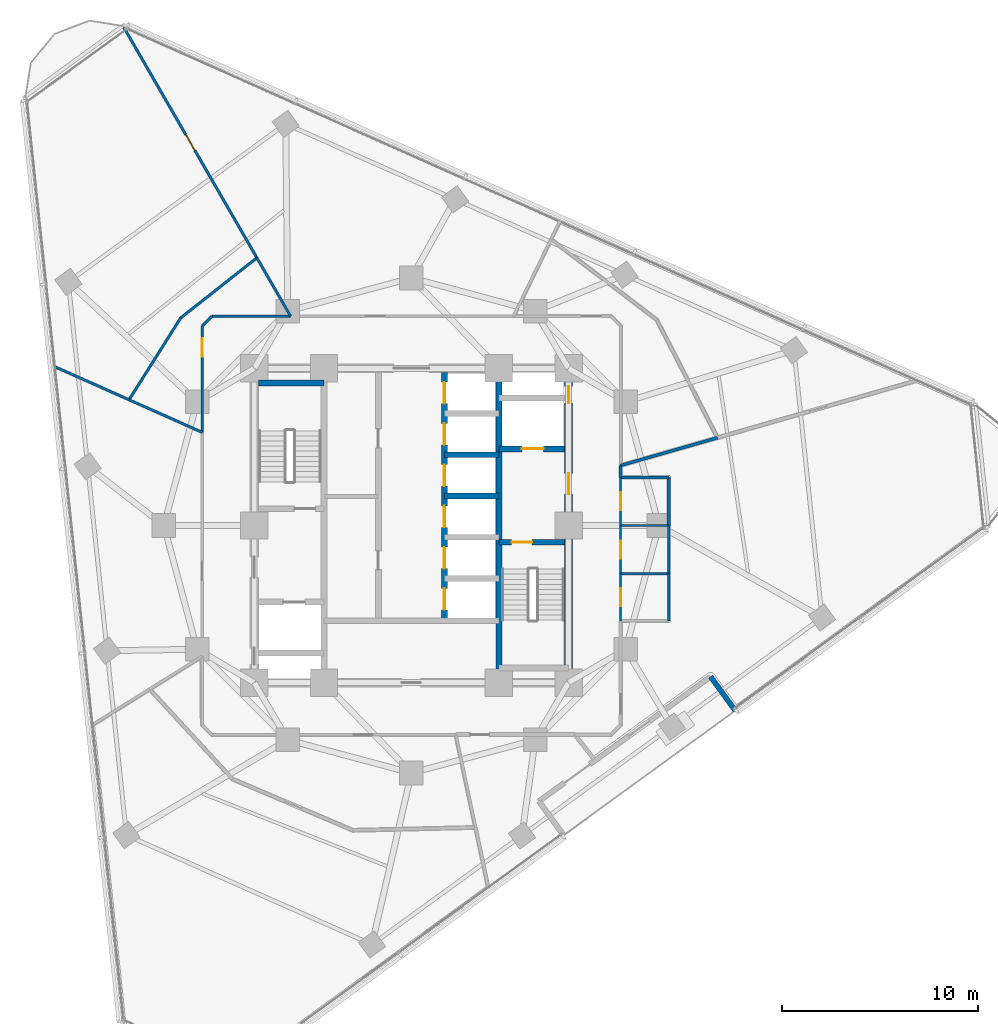
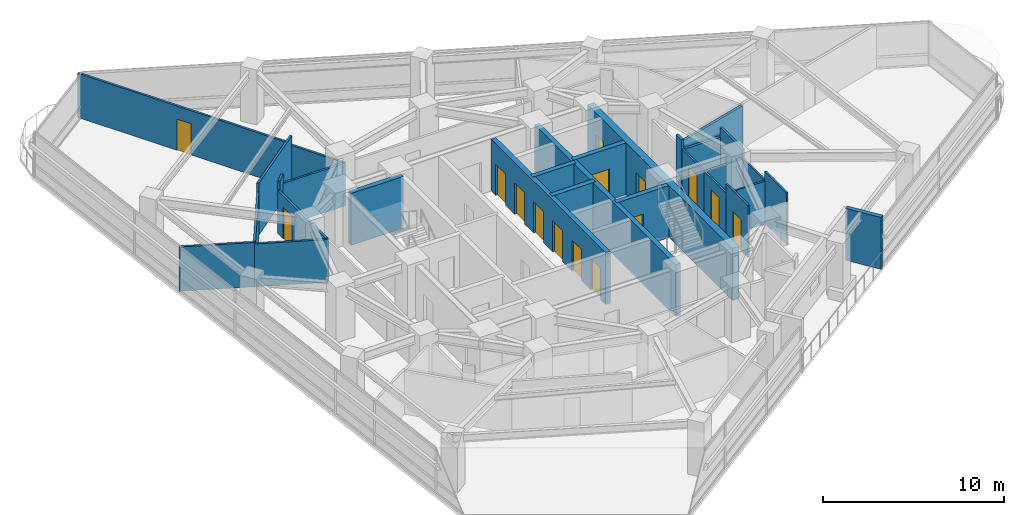
# One storey, part 9 of 14: 29 walls, 15 doors, 15 openings.
"""IFC4 building model written with IfcOpenShell, lengths in metres."""

from ifc_helpers import new_model, si_unit, direction, frame, frame_2d, origin, place, context, subcontext, project, spatial, rectangle, extrude, material, layer, layer_set, type_object, element, fill, save


model = new_model("IFC4")

# Units and contexts
model_context = context("Model", 3, precision=1e-05, world=origin(), true_north=direction((0.0, 1.0)))
body_context = subcontext(model_context, "Body", "Model", "MODEL_VIEW")
ifc_project = project(units=[si_unit("LENGTHUNIT", "METRE"), si_unit("AREAUNIT", "SQUARE_METRE"), si_unit("VOLUMEUNIT", "CUBIC_METRE"), si_unit("PLANEANGLEUNIT", "RADIAN"), si_unit("MASSUNIT", "GRAM", prefix="KILO")], contexts=[model_context])

# Site, building, storey
site_placement = place(None, origin())
site = spatial("IfcSite", under=ifc_project, at=site_placement, CompositionType="ELEMENT")
building_placement = place(site_placement, origin())
building = spatial("IfcBuilding", under=site, at=building_placement, Name="Terralouvre Media Tower", CompositionType="ELEMENT")
storey_placement = place(building_placement, frame((0.0, 0.0, 158.300048828125)))
storey = spatial("IfcBuildingStorey", under=building, at=storey_placement, Name="L40", CompositionType="ELEMENT", Elevation=158.300048828125)

# Walls
ifc_material_1 = material(Name="Concrete C50/60", Category="concrete")
ifc_layer_1 = layer(ifc_material_1, 0.300048828125, Name="Core Internal Shaft Wall CW-300")
ifc_layer_set_1 = layer_set([ifc_layer_1], Name="Concrete C50/60")
wall_type_1 = type_object("IfcWallType", Name="Core Internal Shaft Wall CW-300", PredefinedType="SHEAR", material=ifc_layer_set_1)
wall_1_placement = place(storey_placement, frame((4.449951171875, -7.7900390625, 0.0), z_axis=(0.0, 0.0, 1.0), x_axis=(0.0, 1.0, 0.0)))
element("IfcWall", 1, at=wall_1_placement, inside=storey, type_object=wall_type_1, Name="L40 Core Shaft Wall SPE", PredefinedType="SHEAR", context=body_context, shape_type="SweptSolid", body=[
    extrude(rectangle(XDim=15.580078125, YDim=0.300048828125, at=frame_2d((7.7900390625, 0.0))), origin(), (0.0, 0.0, 1.0), 3.5),
])
wall_2_placement = place(storey_placement, frame((-7.7900390625, 7.260009765625, 0.0), z_axis=(0.0, 0.0, 1.0), x_axis=(1.0, 0.0, 0.0)))
element("IfcWall", 2, at=wall_2_placement, inside=storey, type_object=wall_type_1, Name="L40 Core Shaft Wall ST1F", PredefinedType="SHEAR", context=body_context, shape_type="SweptSolid", body=[
    extrude(rectangle(XDim=3.340087890625, YDim=0.300048828125, at=frame_2d((1.669921875, 0.0))), origin(), (0.0, 0.0, 1.0), 3.5),
])

# Wall, opening, door
wall_3_placement = place(storey_placement, frame((4.449951171875, -0.85009765625, 0.0), z_axis=(0.0, 0.0, 1.0), x_axis=(1.0, 0.0, 0.0)))
wall_3 = element("IfcWall", 3, at=wall_3_placement, inside=storey, type_object=wall_type_1, Name="L40 Core Shaft Wall ST2D", PredefinedType="SHEAR", context=body_context, shape_type="SweptSolid", body=[
    extrude(rectangle(XDim=3.340087890625, YDim=0.300048828125, at=frame_2d((1.669921875, 0.0))), origin(), (0.0, 0.0, 1.0), 3.5),
])
opening_1_placement = place(wall_3_placement, frame((0.64990234375, 0.0, 0.0)))
opening_1 = element("IfcOpeningElement", 4, at=opening_1_placement, cuts=wall_3, Name="Opening FD-01-105X215", PredefinedType="OPENING", context=body_context, shape_type="SweptSolid", body=[
    extrude(rectangle(XDim=1.050048828125, YDim=2.14990234375, at=frame_2d((0.52490234375, 1.074951171875))), frame((0.0, 0.159912109375, 0.0), z_axis=(0.0, -1.0, 0.0), x_axis=(1.0, 0.0, 0.0)), (0.0, 0.0, 1.0), 0.320068359375),
])
ifc_material_2 = material(Name="Galvanised steel fire-resisting leaf", Category="steel")
door_type_1 = type_object("IfcDoorType", Name="Stair and Firefighting Lobby Fire Door FD-01 (1050x2150)", OperationType="NOTDEFINED", PredefinedType="DOOR", material=ifc_material_2)
door_1_placement = place(opening_1_placement, origin())
door_1 = element("IfcDoor", 5, at=door_1_placement, inside=storey, type_object=door_type_1, Name="L40 ST-02 Exit Stair Door", OperationType="SINGLE_SWING_RIGHT", OverallHeight=2.14990234375, OverallWidth=1.050048828125, PredefinedType="DOOR", context=body_context, shape_type="SweptSolid", body=[
    extrude(rectangle(XDim=1.050048828125, YDim=2.14990234375, at=frame_2d((0.52490234375, 1.074951171875))), frame((0.0, 0.02490234375, 0.0), z_axis=(0.0, -1.0, 0.0), x_axis=(1.0, 0.0, 0.0)), (0.0, 0.0, 1.0), 0.050048828125),
])
fill(opening_1, door_1)

wall_4_placement = place(storey_placement, frame((4.449951171875, 3.89990234375, 0.0), z_axis=(0.0, 0.0, 1.0), x_axis=(1.0, 0.0, 0.0)))
wall_4 = element("IfcWall", 6, at=wall_4_placement, inside=storey, type_object=wall_type_1, Name="L40 Core Shaft Wall FF2S", PredefinedType="SHEAR", context=body_context, shape_type="SweptSolid", body=[
    extrude(rectangle(XDim=3.340087890625, YDim=0.300048828125, at=frame_2d((1.669921875, 0.0))), origin(), (0.0, 0.0, 1.0), 3.5),
])
opening_2_placement = place(wall_4_placement, frame((1.179931640625, 0.0, 0.0)))
opening_2 = element("IfcOpeningElement", 7, at=opening_2_placement, cuts=wall_4, Name="Opening LD-FF", PredefinedType="OPENING", context=body_context, shape_type="SweptSolid", body=[
    extrude(rectangle(XDim=1.10009765625, YDim=2.10009765625, at=frame_2d((0.550048828125, 1.050048828125))), frame((0.0, 0.159912109375, 0.0), z_axis=(0.0, -1.0, 0.0), x_axis=(1.0, 0.0, 0.0)), (0.0, 0.0, 1.0), 0.320068359375),
])
ifc_material_3 = material(Name="Stainless steel 316 handrail and balustrade", Category="steel")
door_type_2 = type_object("IfcDoorType", Name="Firefighting Lift Sliding Landing Door LD-FF", OperationType="SLIDING_TO_LEFT", PredefinedType="DOOR", material=ifc_material_3)
door_2_placement = place(opening_2_placement, origin())
door_2 = element("IfcDoor", 8, at=door_2_placement, inside=storey, type_object=door_type_2, Name="L40 Firefighting Lift FFL-02 Landing Door", OperationType="SLIDING_TO_LEFT", OverallHeight=2.10009765625, OverallWidth=1.10009765625, PredefinedType="DOOR", context=body_context, shape_type="SweptSolid", body=[
    extrude(rectangle(XDim=1.10009765625, YDim=2.10009765625, at=frame_2d((0.550048828125, 1.050048828125))), frame((0.0, 0.02490234375, 0.0), z_axis=(0.0, -1.0, 0.0), x_axis=(1.0, 0.0, 0.0)), (0.0, 0.0, 1.0), 0.050048828125),
])
fill(opening_2, door_2)

# Wall, openings, doors
wall_5_placement = place(storey_placement, frame((1.679931640625, -4.85009765625, 0.0), z_axis=(0.0, 0.0, 1.0), x_axis=(0.0, 1.0, 0.0)))
wall_5 = element("IfcWall", 9, at=wall_5_placement, inside=storey, type_object=wall_type_1, Name="L40 Core Shaft Wall LBE", PredefinedType="SHEAR", context=body_context, shape_type="SweptSolid", body=[
    extrude(rectangle(XDim=12.64013671875, YDim=0.300048828125, at=frame_2d((6.320068359375, 0.0))), origin(), (0.0, 0.0, 1.0), 3.5),
])
opening_3_placement = place(wall_5_placement, frame((0.550048828125, 0.0, 0.0)))
opening_3 = element("IfcOpeningElement", 10, at=opening_3_placement, cuts=wall_5, Name="Opening LD-PL", PredefinedType="OPENING", context=body_context, shape_type="SweptSolid", body=[
    extrude(rectangle(XDim=1.10009765625, YDim=2.10009765625, at=frame_2d((0.550048828125, 1.050048828125))), frame((0.0, 0.159912109375, 0.0), z_axis=(0.0, -1.0, 0.0), x_axis=(1.0, 0.0, 0.0)), (0.0, 0.0, 1.0), 0.320068359375),
])
opening_4_placement = place(wall_5_placement, frame((2.64990234375, 0.0, 0.0)))
opening_4 = element("IfcOpeningElement", 11, at=opening_4_placement, cuts=wall_5, Name="Opening LD-PL", PredefinedType="OPENING", context=body_context, shape_type="SweptSolid", body=[
    extrude(rectangle(XDim=1.10009765625, YDim=2.10009765625, at=frame_2d((0.550048828125, 1.050048828125))), frame((0.0, 0.159912109375, 0.0), z_axis=(0.0, -1.0, 0.0), x_axis=(1.0, 0.0, 0.0)), (0.0, 0.0, 1.0), 0.320068359375),
])
opening_5_placement = place(wall_5_placement, frame((4.75, 0.0, 0.0)))
opening_5 = element("IfcOpeningElement", 12, at=opening_5_placement, cuts=wall_5, Name="Opening LD-PL", PredefinedType="OPENING", context=body_context, shape_type="SweptSolid", body=[
    extrude(rectangle(XDim=1.10009765625, YDim=2.10009765625, at=frame_2d((0.550048828125, 1.050048828125))), frame((0.0, 0.159912109375, 0.0), z_axis=(0.0, -1.0, 0.0), x_axis=(1.0, 0.0, 0.0)), (0.0, 0.0, 1.0), 0.320068359375),
])
opening_6_placement = place(wall_5_placement, frame((6.85009765625, 0.0, 0.0)))
opening_6 = element("IfcOpeningElement", 13, at=opening_6_placement, cuts=wall_5, Name="Opening LD-PL", PredefinedType="OPENING", context=body_context, shape_type="SweptSolid", body=[
    extrude(rectangle(XDim=1.10009765625, YDim=2.10009765625, at=frame_2d((0.550048828125, 1.050048828125))), frame((0.0, 0.159912109375, 0.0), z_axis=(0.0, -1.0, 0.0), x_axis=(1.0, 0.0, 0.0)), (0.0, 0.0, 1.0), 0.320068359375),
])
opening_7_placement = place(wall_5_placement, frame((8.949951171875, 0.0, 0.0)))
opening_7 = element("IfcOpeningElement", 14, at=opening_7_placement, cuts=wall_5, Name="Opening LD-PL", PredefinedType="OPENING", context=body_context, shape_type="SweptSolid", body=[
    extrude(rectangle(XDim=1.10009765625, YDim=2.10009765625, at=frame_2d((0.550048828125, 1.050048828125))), frame((0.0, 0.159912109375, 0.0), z_axis=(0.0, -1.0, 0.0), x_axis=(1.0, 0.0, 0.0)), (0.0, 0.0, 1.0), 0.320068359375),
])
opening_8_placement = place(wall_5_placement, frame((11.050048828125, 0.0, 0.0)))
opening_8 = element("IfcOpeningElement", 15, at=opening_8_placement, cuts=wall_5, Name="Opening LD-PL", PredefinedType="OPENING", context=body_context, shape_type="SweptSolid", body=[
    extrude(rectangle(XDim=1.10009765625, YDim=2.10009765625, at=frame_2d((0.550048828125, 1.050048828125))), frame((0.0, 0.159912109375, 0.0), z_axis=(0.0, -1.0, 0.0), x_axis=(1.0, 0.0, 0.0)), (0.0, 0.0, 1.0), 0.320068359375),
])
ifc_material_4 = material(Name="Stainless steel 316 handrail and balustrade", Category="steel")
door_type_3 = type_object("IfcDoorType", Name="Passenger Lift Sliding Landing Door LD-PL", OperationType="SLIDING_TO_LEFT", PredefinedType="DOOR", material=ifc_material_4)
door_3_placement = place(opening_3_placement, origin())
door_3 = element("IfcDoor", 16, at=door_3_placement, inside=storey, type_object=door_type_3, Name="L40 High-Rise Lift PL-H1 Landing Door", OperationType="SLIDING_TO_LEFT", OverallHeight=2.10009765625, OverallWidth=1.10009765625, PredefinedType="DOOR", context=body_context, shape_type="SweptSolid", body=[
    extrude(rectangle(XDim=1.10009765625, YDim=2.10009765625, at=frame_2d((0.550048828125, 1.050048828125))), frame((0.0, 0.02490234375, 0.0), z_axis=(0.0, -1.0, 0.0), x_axis=(1.0, 0.0, 0.0)), (0.0, 0.0, 1.0), 0.050048828125),
])
fill(opening_3, door_3)
door_4_placement = place(opening_4_placement, origin())
door_4 = element("IfcDoor", 17, at=door_4_placement, inside=storey, type_object=door_type_3, Name="L40 High-Rise Lift PL-H2 Landing Door", OperationType="SLIDING_TO_LEFT", OverallHeight=2.10009765625, OverallWidth=1.10009765625, PredefinedType="DOOR", context=body_context, shape_type="SweptSolid", body=[
    extrude(rectangle(XDim=1.10009765625, YDim=2.10009765625, at=frame_2d((0.550048828125, 1.050048828125))), frame((0.0, 0.02490234375, 0.0), z_axis=(0.0, -1.0, 0.0), x_axis=(1.0, 0.0, 0.0)), (0.0, 0.0, 1.0), 0.050048828125),
])
fill(opening_4, door_4)
door_5_placement = place(opening_5_placement, origin())
door_5 = element("IfcDoor", 18, at=door_5_placement, inside=storey, type_object=door_type_3, Name="L40 High-Rise Lift PL-H3 Landing Door", OperationType="SLIDING_TO_LEFT", OverallHeight=2.10009765625, OverallWidth=1.10009765625, PredefinedType="DOOR", context=body_context, shape_type="SweptSolid", body=[
    extrude(rectangle(XDim=1.10009765625, YDim=2.10009765625, at=frame_2d((0.550048828125, 1.050048828125))), frame((0.0, 0.02490234375, 0.0), z_axis=(0.0, -1.0, 0.0), x_axis=(1.0, 0.0, 0.0)), (0.0, 0.0, 1.0), 0.050048828125),
])
fill(opening_5, door_5)
door_6_placement = place(opening_6_placement, origin())
door_6 = element("IfcDoor", 19, at=door_6_placement, inside=storey, type_object=door_type_3, Name="L40 Mid-Rise Lift PL-M1 Landing Door", OperationType="SLIDING_TO_LEFT", OverallHeight=2.10009765625, OverallWidth=1.10009765625, PredefinedType="DOOR", context=body_context, shape_type="SweptSolid", body=[
    extrude(rectangle(XDim=1.10009765625, YDim=2.10009765625, at=frame_2d((0.550048828125, 1.050048828125))), frame((0.0, 0.02490234375, 0.0), z_axis=(0.0, -1.0, 0.0), x_axis=(1.0, 0.0, 0.0)), (0.0, 0.0, 1.0), 0.050048828125),
])
fill(opening_6, door_6)
door_7_placement = place(opening_7_placement, origin())
door_7 = element("IfcDoor", 20, at=door_7_placement, inside=storey, type_object=door_type_3, Name="L40 Mid-Rise Lift PL-M2 Landing Door", OperationType="SLIDING_TO_LEFT", OverallHeight=2.10009765625, OverallWidth=1.10009765625, PredefinedType="DOOR", context=body_context, shape_type="SweptSolid", body=[
    extrude(rectangle(XDim=1.10009765625, YDim=2.10009765625, at=frame_2d((0.550048828125, 1.050048828125))), frame((0.0, 0.02490234375, 0.0), z_axis=(0.0, -1.0, 0.0), x_axis=(1.0, 0.0, 0.0)), (0.0, 0.0, 1.0), 0.050048828125),
])
fill(opening_7, door_7)
door_8_placement = place(opening_8_placement, origin())
door_8 = element("IfcDoor", 21, at=door_8_placement, inside=storey, type_object=door_type_3, Name="L40 Mid-Rise Lift PL-M3 Landing Door", OperationType="SLIDING_TO_LEFT", OverallHeight=2.10009765625, OverallWidth=1.10009765625, PredefinedType="DOOR", context=body_context, shape_type="SweptSolid", body=[
    extrude(rectangle(XDim=1.10009765625, YDim=2.10009765625, at=frame_2d((0.550048828125, 1.050048828125))), frame((0.0, 0.02490234375, 0.0), z_axis=(0.0, -1.0, 0.0), x_axis=(1.0, 0.0, 0.0)), (0.0, 0.0, 1.0), 0.050048828125),
])
fill(opening_8, door_8)

# Walls
for number, where, z_axis, x_axis, name in (
    (22, (1.679931640625, 1.5, 0.0), (0.0, 0.0, 1.0), (1.0, 0.0, 0.0), "L40 Core Shaft Wall PLMD0"),
    (23, (1.679931640625, 3.60009765625, 0.0), (0.0, 0.0, 1.0), (1.0, 0.0, 0.0), "L40 Core Shaft Wall PLMD1"),
):
    element("IfcWall", number, at=place(storey_placement, frame(where, z_axis=z_axis, x_axis=x_axis)), inside=storey, type_object=wall_type_1, Name=name, PredefinedType="SHEAR", context=body_context, shape_type="SweptSolid", body=[
        extrude(rectangle(XDim=2.77001953125, YDim=0.300048828125, at=frame_2d((1.385009765625, 0.0))), origin(), (0.0, 0.0, 1.0), 3.5),
    ])

# Wall, openings, doors
ifc_material_5 = material(Name="Concrete C60/75", Category="concrete")
ifc_layer_2 = layer(ifc_material_5, 0.419921875, Name="Core Reinforced Concrete Shear Wall CW-420")
ifc_layer_set_2 = layer_set([ifc_layer_2], Name="Concrete C60/75")
wall_type_2 = type_object("IfcWallType", Name="Core Reinforced Concrete Shear Wall CW-420", PredefinedType="SHEAR", material=ifc_layer_set_2)
wall_6_placement = place(storey_placement, frame((8.0, -8.0, 0.0), z_axis=(0.0, 0.0, 1.0), x_axis=(0.0, 1.0, 0.0)))
wall_6 = element("IfcWall", 24, at=wall_6_placement, inside=storey, type_object=wall_type_2, Name="L40 E Core Shear Wall", PredefinedType="SHEAR", context=body_context, shape_type="SweptSolid", body=[
    extrude(rectangle(XDim=16.0, YDim=0.419921875, at=frame_2d((8.0, 0.0))), origin(), (0.0, 0.0, 1.0), 3.5),
])
opening_9_placement = place(wall_6_placement, frame((9.60009765625, 0.0, 0.0)))
opening_9 = element("IfcOpeningElement", 25, at=opening_9_placement, cuts=wall_6, Name="Opening FD-01-105X215", PredefinedType="OPENING", context=body_context, shape_type="SweptSolid", body=[
    extrude(rectangle(XDim=1.050048828125, YDim=2.14990234375, at=frame_2d((0.52490234375, 1.074951171875))), frame((0.0, 0.219970703125, 0.0), z_axis=(0.0, -1.0, 0.0), x_axis=(1.0, 0.0, 0.0)), (0.0, 0.0, 1.0), 0.43994140625),
])
opening_10_placement = place(wall_6_placement, frame((14.228515625, 0.0, 0.0)))
opening_10 = element("IfcOpeningElement", 26, at=opening_10_placement, cuts=wall_6, Name="Opening TD-R1", PredefinedType="OPENING", context=body_context, shape_type="SweptSolid", body=[
    extrude(rectangle(XDim=0.85009765625, YDim=2.02001953125, at=frame_2d((0.425048828125, 1.010009765625))), frame((0.0, 0.219970703125, 0.0), z_axis=(0.0, -1.0, 0.0), x_axis=(1.0, 0.0, 0.0)), (0.0, 0.0, 1.0), 0.43994140625),
])
ifc_material_6 = material(Name="Galvanised steel fire-resisting leaf", Category="steel")
door_type_4 = type_object("IfcDoorType", Name="Riser Inspection Access Trapdoor TD-R1", OperationType="NOTDEFINED", PredefinedType="TRAPDOOR", material=ifc_material_6)
door_9_placement = place(opening_10_placement, origin())
door_9 = element("IfcDoor", 27, at=door_9_placement, inside=storey, type_object=door_type_4, Name="L40 East Comms Riser Access Trapdoor", OperationType="SINGLE_SWING_RIGHT", OverallHeight=2.02001953125, OverallWidth=0.85009765625, PredefinedType="TRAPDOOR", context=body_context, shape_type="SweptSolid", body=[
    extrude(rectangle(XDim=0.85009765625, YDim=2.02001953125, at=frame_2d((0.425048828125, 1.010009765625))), frame((0.0, 0.02490234375, 0.0), z_axis=(0.0, -1.0, 0.0), x_axis=(1.0, 0.0, 0.0)), (0.0, 0.0, 1.0), 0.050048828125),
])
fill(opening_10, door_9)
door_10_placement = place(opening_9_placement, origin())
door_10 = element("IfcDoor", 28, at=door_10_placement, inside=storey, type_object=door_type_1, Name="L40 East Firefighting Lobby Entry Door", OperationType="SINGLE_SWING_LEFT", OverallHeight=2.14990234375, OverallWidth=1.050048828125, PredefinedType="DOOR", context=body_context, shape_type="SweptSolid", body=[
    extrude(rectangle(XDim=1.050048828125, YDim=2.14990234375, at=frame_2d((0.52490234375, 1.074951171875))), frame((0.0, 0.02490234375, 0.0), z_axis=(0.0, -1.0, 0.0), x_axis=(1.0, 0.0, 0.0)), (0.0, 0.0, 1.0), 0.050048828125),
])
fill(opening_9, door_10)

# Walls
ifc_material_7 = material(Name="Fire-rated gypsum board drywall partition")
ifc_layer_3 = layer(ifc_material_7, 0.135009765625, Name="Newsroom Acoustic Partition PT-135")
ifc_layer_set_3 = layer_set([ifc_layer_3], Name="Fire-rated gypsum board drywall partition")
wall_type_3 = type_object("IfcWallType", Name="Newsroom Acoustic Partition PT-135", PredefinedType="PARTITIONING", material=ifc_layer_set_3)
wall_7_placement = place(storey_placement, frame((-6.14892578125, 10.64990234375, 0.0), z_axis=(0.0, 0.0, 1.0), x_axis=(-1.0, 0.0, 0.0)))
element("IfcWall", 29, at=wall_7_placement, inside=storey, type_object=wall_type_3, Name="L40 Interior Partition 017", PredefinedType="PARTITIONING", context=body_context, shape_type="SweptSolid", body=[
    extrude(rectangle(XDim=4.0009765625, YDim=0.135009765625, at=frame_2d((2.00048828125, 0.0))), origin(), (0.0, 0.0, 1.0), 2.885009765625),
])
wall_8_placement = place(storey_placement, frame((-10.14990234375, 10.64990234375, 0.0), z_axis=(0.0, 0.0, 1.0), x_axis=(-0.707106781187, -0.707106781187, 0.0)))
element("IfcWall", 30, at=wall_8_placement, inside=storey, type_object=wall_type_3, Name="L40 Interior Partition 018", PredefinedType="PARTITIONING", context=body_context, shape_type="SweptSolid", body=[
    extrude(rectangle(XDim=0.70703125, YDim=0.135009765625, at=frame_2d((0.353515625, 0.0))), origin(), (0.0, 0.0, 1.0), 3.5),
])

# Wall, opening, door
wall_9_placement = place(storey_placement, frame((-10.64990234375, 10.14990234375, 0.0), z_axis=(0.0, 0.0, 1.0), x_axis=(0.0, -1.0, 0.0)))
wall_9 = element("IfcWall", 31, at=wall_9_placement, inside=storey, type_object=wall_type_3, Name="L40 Interior Partition 019", PredefinedType="PARTITIONING", context=body_context, shape_type="SweptSolid", body=[
    extrude(rectangle(XDim=5.407958984375, YDim=0.135009765625, at=frame_2d((2.7041015625, 0.0))), origin(), (0.0, 0.0, 1.0), 2.885009765625),
])
opening_11_placement = place(wall_9_placement, frame((0.606689453125, 0.0, 0.0)))
opening_11 = element("IfcOpeningElement", 32, at=opening_11_placement, cuts=wall_9, Name="Opening ID-02-95X210", PredefinedType="OPENING", context=body_context, shape_type="SweptSolid", body=[
    extrude(rectangle(XDim=0.949951171875, YDim=2.10009765625, at=frame_2d((0.47509765625, 1.050048828125))), frame((0.0, 0.077392578125, 0.0), z_axis=(0.0, -1.0, 0.0), x_axis=(1.0, 0.0, 0.0)), (0.0, 0.0, 1.0), 0.155029296875),
])
ifc_material_8 = material(Name="Engineered hardwood acoustic timber leaf", Category="wood")
door_type_5 = type_object("IfcDoorType", Name="Office and Meeting Room Door ID-02 (950x2100)", OperationType="NOTDEFINED", PredefinedType="DOOR", material=ifc_material_8)
door_11_placement = place(opening_11_placement, origin())
door_11 = element("IfcDoor", 33, at=door_11_placement, inside=storey, type_object=door_type_5, Name="L40 Stage Prop Archive Storage 10 Door", OperationType="SINGLE_SWING_LEFT", OverallHeight=2.10009765625, OverallWidth=0.949951171875, PredefinedType="DOOR", context=body_context, shape_type="SweptSolid", body=[
    extrude(rectangle(XDim=0.949951171875, YDim=2.10009765625, at=frame_2d((0.47509765625, 1.050048828125))), frame((0.0, 0.02490234375, 0.0), z_axis=(0.0, -1.0, 0.0), x_axis=(1.0, 0.0, 0.0)), (0.0, 0.0, 1.0), 0.050048828125),
])
fill(opening_11, door_11)

# Walls
wall_10_placement = place(storey_placement, frame((-14.3740234375, 6.39990234375, 0.0), z_axis=(0.0, 0.0, 1.0), x_axis=(-0.913556010805, 0.406712939457, 0.0)))
element("IfcWall", 34, at=wall_10_placement, inside=storey, type_object=wall_type_3, Name="L40 Interior Partition 022", PredefinedType="PARTITIONING", context=body_context, shape_type="SweptSolid", body=[
    extrude(rectangle(XDim=4.17919921875, YDim=0.135009765625, at=frame_2d((2.089599609375, 0.0))), origin(), (0.0, 0.0, 1.0), 2.98486328125),
])
wall_11_placement = place(storey_placement, frame((-10.64990234375, 4.741943359375, 0.0), z_axis=(0.0, 0.0, 1.0), x_axis=(-0.913556992648, 0.406710734042, 0.0)))
element("IfcWall", 35, at=wall_11_placement, inside=storey, type_object=wall_type_3, Name="L40 Interior Partition 023", PredefinedType="PARTITIONING", context=body_context, shape_type="SweptSolid", body=[
    extrude(rectangle(XDim=4.076416015625, YDim=0.135009765625, at=frame_2d((2.0380859375, 0.0))), origin(), (0.0, 0.0, 1.0), 2.885009765625),
])

# Wall, opening, door
wall_12_placement = place(storey_placement, frame((-14.645751953125, 25.36669921875, 0.0), z_axis=(0.0, 0.0, 1.0), x_axis=(0.500047745944, -0.865997835896, 0.0)))
wall_12 = element("IfcWall", 36, at=wall_12_placement, inside=storey, type_object=wall_type_3, Name="L40 Interior Partition 043", PredefinedType="PARTITIONING", context=body_context, shape_type="SweptSolid", body=[
    extrude(rectangle(XDim=13.556396484375, YDim=0.135009765625, at=frame_2d((6.7783203125, 0.0))), origin(), (0.0, 0.0, 1.0), 2.98486328125),
])
opening_12_placement = place(wall_12_placement, frame((6.318115234375, 0.0, 0.0)))
opening_12 = element("IfcOpeningElement", 37, at=opening_12_placement, cuts=wall_12, Name="Opening ID-03-92X210", PredefinedType="OPENING", context=body_context, shape_type="SweptSolid", body=[
    extrude(rectangle(XDim=0.919921875, YDim=2.10009765625, at=frame_2d((0.4599609375, 1.050048828125))), frame((0.0, 0.077392578125, 0.0), z_axis=(0.0, -1.0, 0.0), x_axis=(1.0, 0.0, 0.0)), (0.0, 0.0, 1.0), 0.155029296875),
])
ifc_material_9 = material(Name="Engineered hardwood acoustic timber leaf", Category="wood")
door_type_6 = type_object("IfcDoorType", Name="Accessible Restroom and Suite Door ID-03 (920x2100)", OperationType="NOTDEFINED", PredefinedType="DOOR", material=ifc_material_9)
door_12_placement = place(opening_12_placement, origin())
door_12 = element("IfcDoor", 38, at=door_12_placement, inside=storey, type_object=door_type_6, Name="L40 Wardrobe Costume Closet 9 Door", OperationType="SINGLE_SWING_RIGHT", OverallHeight=2.10009765625, OverallWidth=0.919921875, PredefinedType="DOOR", context=body_context, shape_type="SweptSolid", body=[
    extrude(rectangle(XDim=0.919921875, YDim=2.10009765625, at=frame_2d((0.4599609375, 1.050048828125))), frame((0.0, 0.02490234375, 0.0), z_axis=(0.0, -1.0, 0.0), x_axis=(1.0, 0.0, 0.0)), (0.0, 0.0, 1.0), 0.050048828125),
])
fill(opening_12, door_12)

# Walls
wall_13_placement = place(storey_placement, frame((-7.866943359375, 13.626953125, 0.0), z_axis=(0.0, 0.0, 1.0), x_axis=(0.499829032188, -0.866124089598, 0.0)))
element("IfcWall", 39, at=wall_13_placement, inside=storey, type_object=wall_type_3, Name="L40 Interior Partition 044", PredefinedType="PARTITIONING", context=body_context, shape_type="SweptSolid", body=[
    extrude(rectangle(XDim=3.437255859375, YDim=0.135009765625, at=frame_2d((1.71875, 0.0))), origin(), (0.0, 0.0, 1.0), 2.885009765625),
])
wall_14_placement = place(storey_placement, frame((-14.3740234375, 6.39990234375, 0.0), z_axis=(0.0, 0.0, 1.0), x_axis=(0.53356651363, 0.845758106986, 0.0)))
element("IfcWall", 40, at=wall_14_placement, inside=storey, type_object=wall_type_3, Name="L40 Interior Partition 045", PredefinedType="PARTITIONING", context=body_context, shape_type="SweptSolid", body=[
    extrude(rectangle(XDim=4.93310546875, YDim=0.135009765625, at=frame_2d((2.466552734375, 0.0))), origin(), (0.0, 0.0, 1.0), 2.885009765625),
])
wall_15_placement = place(storey_placement, frame((-11.741943359375, 10.572021484375, 0.0), z_axis=(0.0, 0.0, 1.0), x_axis=(0.785304323173, 0.619109941776, 0.0)))
element("IfcWall", 41, at=wall_15_placement, inside=storey, type_object=wall_type_3, Name="L40 Interior Partition 046", PredefinedType="PARTITIONING", context=body_context, shape_type="SweptSolid", body=[
    extrude(rectangle(XDim=4.934326171875, YDim=0.135009765625, at=frame_2d((2.46728515625, 0.0))), origin(), (0.0, 0.0, 1.0), 3.5),
])
ifc_material_10 = material(Name="Kiln-fired architectural terracotta rainscreen cladding", Category="masonry")
ifc_layer_4 = layer(ifc_material_10, 0.260009765625, Name="Recessed Sky-Garden Acoustic Wall EW-SG260")
ifc_layer_set_4 = layer_set([ifc_layer_4], Name="Kiln-fired architectural terracotta rainscreen cladding")
wall_type_4 = type_object("IfcWallType", Name="Recessed Sky-Garden Acoustic Wall EW-SG260", PredefinedType="SOLIDWALL", material=ifc_layer_set_4)
wall_16_placement = place(storey_placement, frame((15.230224609375, -7.6923828125, 0.0), z_axis=(0.0, 0.0, 1.0), x_axis=(0.587739506477, -0.80905022868, 0.0)))
element("IfcWall", 42, at=wall_16_placement, inside=storey, type_object=wall_type_4, Name="L40 SG Pocket Right Cheek Wall", PredefinedType="SOLIDWALL", context=body_context, shape_type="SweptSolid", body=[
    extrude(rectangle(XDim=2.150146484375, YDim=0.260009765625, at=frame_2d((1.0751953125, 0.0))), origin(), (0.0, 0.0, 1.0), 3.5),
])

# Wall, opening, door
ifc_material_11 = material(Name="Fire-rated gypsum board drywall partition")
ifc_layer_5 = layer(ifc_material_11, 0.114990234375, Name="Restroom and Pantry Partition PT-115")
ifc_layer_set_5 = layer_set([ifc_layer_5], Name="Fire-rated gypsum board drywall partition")
wall_type_5 = type_object("IfcWallType", Name="Restroom and Pantry Partition PT-115", PredefinedType="PARTITIONING", material=ifc_layer_set_5)
wall_17_placement = place(storey_placement, frame((10.64990234375, -4.85009765625, 0.0), z_axis=(0.0, 0.0, 1.0), x_axis=(0.0, 1.0, 0.0)))
wall_17 = element("IfcWall", 43, at=wall_17_placement, inside=storey, type_object=wall_type_5, Name="L40 Interior Partition 006", PredefinedType="PARTITIONING", context=body_context, shape_type="SweptSolid", body=[
    extrude(rectangle(XDim=2.400146484375, YDim=0.114990234375, at=frame_2d((1.2001953125, 0.0))), origin(), (0.0, 0.0, 1.0), 3.5),
])
opening_13_placement = place(wall_17_placement, frame((0.739990234375, 0.0, 0.0)))
opening_13 = element("IfcOpeningElement", 44, at=opening_13_placement, cuts=wall_17, Name="Opening ID-03-92X210", PredefinedType="OPENING", context=body_context, shape_type="SweptSolid", body=[
    extrude(rectangle(XDim=0.919921875, YDim=2.10009765625, at=frame_2d((0.4599609375, 1.050048828125))), frame((0.0, 0.0673828125, 0.0), z_axis=(0.0, -1.0, 0.0), x_axis=(1.0, 0.0, 0.0)), (0.0, 0.0, 1.0), 0.135009765625),
])
door_13_placement = place(opening_13_placement, origin())
door_13 = element("IfcDoor", 45, at=door_13_placement, inside=storey, type_object=door_type_6, Name="L40 Male Restroom WC Door", OperationType="SINGLE_SWING_LEFT", OverallHeight=2.10009765625, OverallWidth=0.919921875, PredefinedType="DOOR", context=body_context, shape_type="SweptSolid", body=[
    extrude(rectangle(XDim=0.919921875, YDim=2.10009765625, at=frame_2d((0.4599609375, 1.050048828125))), frame((0.0, 0.02490234375, 0.0), z_axis=(0.0, -1.0, 0.0), x_axis=(1.0, 0.0, 0.0)), (0.0, 0.0, 1.0), 0.050048828125),
])
fill(opening_13, door_13)

wall_18_placement = place(storey_placement, frame((10.64990234375, -2.449951171875, 0.0), z_axis=(0.0, 0.0, 1.0), x_axis=(0.0, 1.0, 0.0)))
wall_18 = element("IfcWall", 46, at=wall_18_placement, inside=storey, type_object=wall_type_5, Name="L40 Interior Partition 007", PredefinedType="PARTITIONING", context=body_context, shape_type="SweptSolid", body=[
    extrude(rectangle(XDim=2.449951171875, YDim=0.114990234375, at=frame_2d((1.22509765625, 0.0))), origin(), (0.0, 0.0, 1.0), 2.885009765625),
])
opening_14_placement = place(wall_18_placement, frame((0.764892578125, 0.0, 0.0)))
opening_14 = element("IfcOpeningElement", 47, at=opening_14_placement, cuts=wall_18, Name="Opening ID-03-92X210", PredefinedType="OPENING", context=body_context, shape_type="SweptSolid", body=[
    extrude(rectangle(XDim=0.919921875, YDim=2.10009765625, at=frame_2d((0.4599609375, 1.050048828125))), frame((0.0, 0.0673828125, 0.0), z_axis=(0.0, -1.0, 0.0), x_axis=(1.0, 0.0, 0.0)), (0.0, 0.0, 1.0), 0.135009765625),
])
door_14_placement = place(opening_14_placement, origin())
door_14 = element("IfcDoor", 48, at=door_14_placement, inside=storey, type_object=door_type_6, Name="L40 Female Restroom WC Door", OperationType="SINGLE_SWING_RIGHT", OverallHeight=2.10009765625, OverallWidth=0.919921875, PredefinedType="DOOR", context=body_context, shape_type="SweptSolid", body=[
    extrude(rectangle(XDim=0.919921875, YDim=2.10009765625, at=frame_2d((0.4599609375, 1.050048828125))), frame((0.0, 0.02490234375, 0.0), z_axis=(0.0, -1.0, 0.0), x_axis=(1.0, 0.0, 0.0)), (0.0, 0.0, 1.0), 0.050048828125),
])
fill(opening_14, door_14)

wall_19_placement = place(storey_placement, frame((10.64990234375, 0.0, 0.0), z_axis=(0.0, 0.0, 1.0), x_axis=(0.0, 1.0, 0.0)))
wall_19 = element("IfcWall", 49, at=wall_19_placement, inside=storey, type_object=wall_type_5, Name="L40 Interior Partition 012", PredefinedType="PARTITIONING", context=body_context, shape_type="SweptSolid", body=[
    extrude(rectangle(XDim=2.449951171875, YDim=0.114990234375, at=frame_2d((1.22509765625, 0.0))), origin(), (0.0, 0.0, 1.0), 2.885009765625),
])
opening_15_placement = place(wall_19_placement, frame((0.764892578125, 0.0, 0.0)))
opening_15 = element("IfcOpeningElement", 50, at=opening_15_placement, cuts=wall_19, Name="Opening ID-03-92X210", PredefinedType="OPENING", context=body_context, shape_type="SweptSolid", body=[
    extrude(rectangle(XDim=0.919921875, YDim=2.10009765625, at=frame_2d((0.4599609375, 1.050048828125))), frame((0.0, 0.0673828125, 0.0), z_axis=(0.0, -1.0, 0.0), x_axis=(1.0, 0.0, 0.0)), (0.0, 0.0, 1.0), 0.135009765625),
])
door_15_placement = place(opening_15_placement, origin())
door_15 = element("IfcDoor", 51, at=door_15_placement, inside=storey, type_object=door_type_6, Name="L40 Accessible Unisex WC Door", OperationType="SINGLE_SWING_RIGHT", OverallHeight=2.10009765625, OverallWidth=0.919921875, PredefinedType="DOOR", context=body_context, shape_type="SweptSolid", body=[
    extrude(rectangle(XDim=0.919921875, YDim=2.10009765625, at=frame_2d((0.4599609375, 1.050048828125))), frame((0.0, 0.02490234375, 0.0), z_axis=(0.0, -1.0, 0.0), x_axis=(1.0, 0.0, 0.0)), (0.0, 0.0, 1.0), 0.050048828125),
])
fill(opening_15, door_15)

# Walls
wall_20_placement = place(storey_placement, frame((13.10009765625, -2.449951171875, 0.0), z_axis=(0.0, 0.0, 1.0), x_axis=(-1.0, 0.0, 0.0)))
element("IfcWall", 52, at=wall_20_placement, inside=storey, type_object=wall_type_5, Name="L40 Interior Partition 030", PredefinedType="PARTITIONING", context=body_context, shape_type="SweptSolid", body=[
    extrude(rectangle(XDim=2.4501953125, YDim=0.114990234375, at=frame_2d((1.22509765625, 0.0))), origin(), (0.0, 0.0, 1.0), 2.885009765625),
])
wall_21_placement = place(storey_placement, frame((13.10009765625, -4.85009765625, 0.0), z_axis=(0.0, 0.0, 1.0), x_axis=(0.0, 1.0, 0.0)))
element("IfcWall", 53, at=wall_21_placement, inside=storey, type_object=wall_type_5, Name="L40 Interior Partition 032", PredefinedType="PARTITIONING", context=body_context, shape_type="SweptSolid", body=[
    extrude(rectangle(XDim=2.400146484375, YDim=0.114990234375, at=frame_2d((1.2001953125, 0.0))), origin(), (0.0, 0.0, 1.0), 3.5),
])
wall_22_placement = place(storey_placement, frame((13.10009765625, -2.449951171875, 0.0), z_axis=(0.0, 0.0, 1.0), x_axis=(0.0, 1.0, 0.0)))
element("IfcWall", 54, at=wall_22_placement, inside=storey, type_object=wall_type_5, Name="L40 Interior Partition 033", PredefinedType="PARTITIONING", context=body_context, shape_type="SweptSolid", body=[
    extrude(rectangle(XDim=2.449951171875, YDim=0.114990234375, at=frame_2d((1.22509765625, 0.0))), origin(), (0.0, 0.0, 1.0), 2.885009765625),
])
wall_23_placement = place(storey_placement, frame((13.10009765625, 0.0, 0.0), z_axis=(0.0, 0.0, 1.0), x_axis=(-1.0, 0.0, 0.0)))
element("IfcWall", 55, at=wall_23_placement, inside=storey, type_object=wall_type_5, Name="L40 Interior Partition 034", PredefinedType="PARTITIONING", context=body_context, shape_type="SweptSolid", body=[
    extrude(rectangle(XDim=2.4501953125, YDim=0.114990234375, at=frame_2d((1.22509765625, 0.0))), origin(), (0.0, 0.0, 1.0), 2.885009765625),
])
ifc_material_12 = material(Name="Fire-rated gypsum board drywall partition")
ifc_layer_6 = layer(ifc_material_12, 0.159912109375, Name="Studio Acoustic Rated Partition PT-160")
ifc_layer_set_6 = layer_set([ifc_layer_6], Name="Fire-rated gypsum board drywall partition")
wall_type_6 = type_object("IfcWallType", Name="Studio Acoustic Rated Partition PT-160", PredefinedType="PARTITIONING", material=ifc_layer_set_6)
wall_24_placement = place(storey_placement, frame((10.64990234375, 2.449951171875, 0.0), z_axis=(0.0, 0.0, 1.0), x_axis=(0.0, 1.0, 0.0)))
element("IfcWall", 56, at=wall_24_placement, inside=storey, type_object=wall_type_6, Name="L40 Interior Partition 011", PredefinedType="PARTITIONING", context=body_context, shape_type="SweptSolid", body=[
    extrude(rectangle(XDim=0.60400390625, YDim=0.159912109375, at=frame_2d((0.302001953125, 0.0))), origin(), (0.0, 0.0, 1.0), 3.5),
])
wall_25_placement = place(storey_placement, frame((10.64990234375, 2.449951171875, 0.0), z_axis=(0.0, 0.0, 1.0), x_axis=(1.0, 0.0, 0.0)))
element("IfcWall", 57, at=wall_25_placement, inside=storey, type_object=wall_type_6, Name="L40 Interior Partition 035", PredefinedType="PARTITIONING", context=body_context, shape_type="SweptSolid", body=[
    extrude(rectangle(XDim=2.4501953125, YDim=0.159912109375, at=frame_2d((1.22509765625, 0.0))), origin(), (0.0, 0.0, 1.0), 2.885009765625),
])
wall_26_placement = place(storey_placement, frame((13.10009765625, 2.449951171875, 0.0), z_axis=(0.0, 0.0, 1.0), x_axis=(0.0, -1.0, 0.0)))
element("IfcWall", 58, at=wall_26_placement, inside=storey, type_object=wall_type_6, Name="L40 Interior Partition 036", PredefinedType="PARTITIONING", context=body_context, shape_type="SweptSolid", body=[
    extrude(rectangle(XDim=2.449951171875, YDim=0.159912109375, at=frame_2d((1.22509765625, 0.0))), origin(), (0.0, 0.0, 1.0), 3.5),
])
wall_27_placement = place(storey_placement, frame((15.58203125, 4.468017578125, 0.0), z_axis=(0.0, 0.0, 1.0), x_axis=(-0.961272163105, -0.275600849852, 0.0)))
element("IfcWall", 59, at=wall_27_placement, inside=storey, type_object=wall_type_6, Name="L40 Interior Partition 038", PredefinedType="PARTITIONING", context=body_context, shape_type="SweptSolid", body=[
    extrude(rectangle(XDim=5.130859375, YDim=0.159912109375, at=frame_2d((2.5654296875, 0.0))), origin(), (0.0, 0.0, 1.0), 2.885009765625),
])

save(model, "model.ifc")
